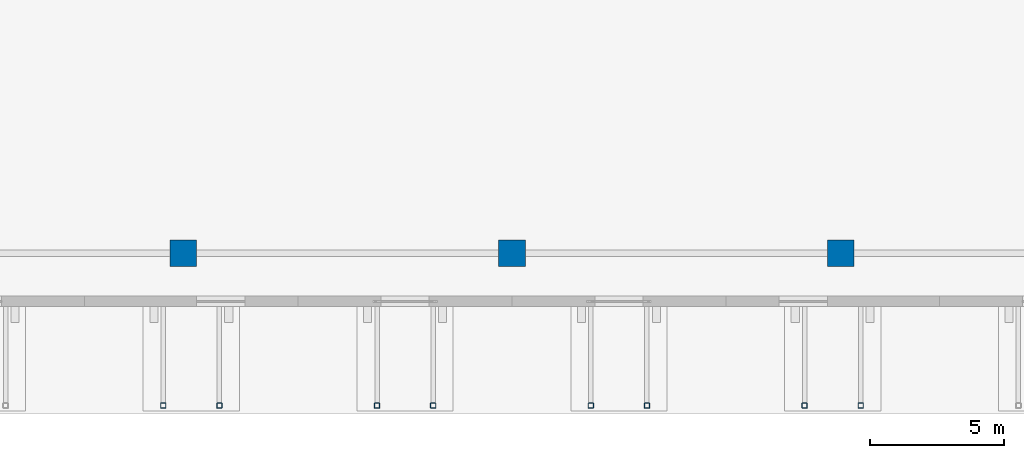
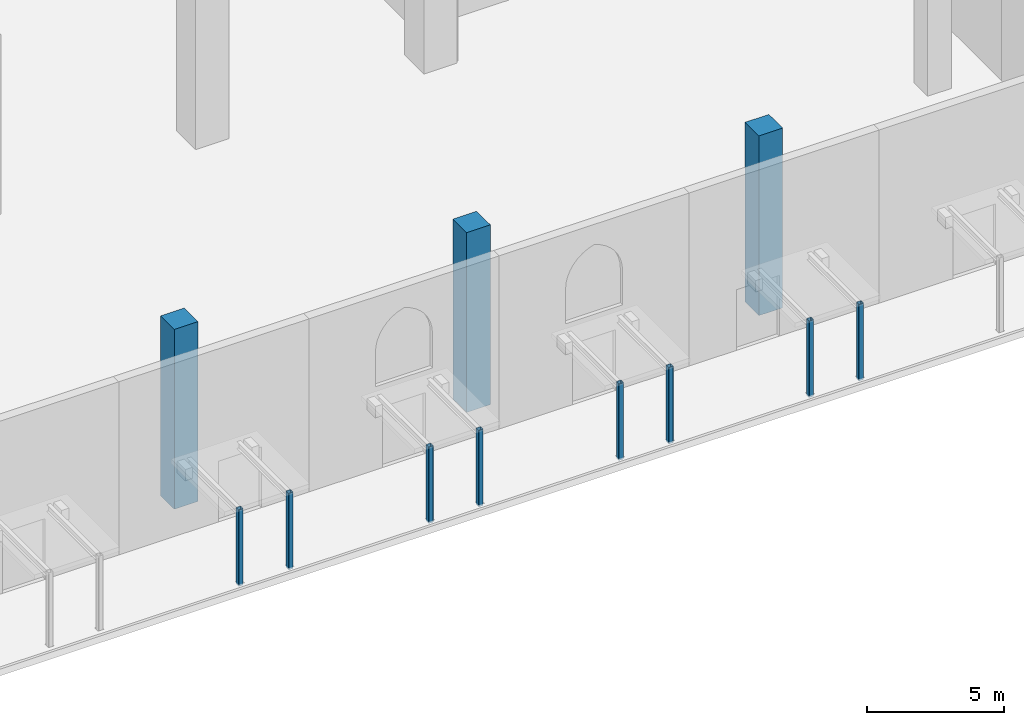
# One storey, part 3 of 38: 11 columns.
"""IFC4 building model written with IfcOpenShell, lengths in metres."""

from ifc_helpers import new_model, si_unit, direction, frame, origin, origin_2d, place, context, subcontext, project, spatial, rectangle, hollow_rectangle, extrude, material, material_profile, profile_set, type_object, element, save


model = new_model("IFC4")

# Units and contexts
model_context = context("Model", 3, precision=1e-05, world=origin(), true_north=direction((0.0, 1.0)))
body_context = subcontext(model_context, "Body", "Model", "MODEL_VIEW")
ifc_project = project(units=[si_unit("LENGTHUNIT", "METRE"), si_unit("AREAUNIT", "SQUARE_METRE"), si_unit("VOLUMEUNIT", "CUBIC_METRE"), si_unit("PLANEANGLEUNIT", "RADIAN"), si_unit("MASSUNIT", "GRAM", prefix="KILO")], contexts=[model_context])

# Site, building, storey
site_placement = place(None, origin())
site = spatial("IfcSite", under=ifc_project, at=site_placement, CompositionType="ELEMENT")
building_placement = place(site_placement, origin())
building = spatial("IfcBuilding", under=site, at=building_placement, Name="Ogive Exchange Tower", CompositionType="ELEMENT")
storey_placement = place(building_placement, origin())
storey = spatial("IfcBuildingStorey", under=building, at=storey_placement, Name="L00", CompositionType="ELEMENT", Elevation=0.0)

# Columns
ifc_material_1 = material(Name="Steel ASTM A1085 Gr A", Category="steel")
ifc_material_profile_1 = material_profile(ifc_material_1, hollow_rectangle(XDim=0.202880859375, YDim=0.202880859375, WallThickness=0.0126953125, InnerFilletRadius=0.0126953125, OuterFilletRadius=0.025390625, at=origin_2d()), Name="HSS203.2x203.2x12.7")
ifc_profile_set_1 = profile_set([ifc_material_profile_1], Name="Steel ASTM A1085 Gr A")
column_type_1 = type_object("IfcColumnType", Name="Canopy post HSS203.2x203.2x12.7", PredefinedType="COLUMN", material=ifc_profile_set_1)
for number, where, z_axis, x_axis, name in (
    (1, (-13.050048828125, -55.699951171875, -0.10009765625), (0.0, 0.0, 1.0), (1.0, 0.0, 0.0), "Canopy post"),
    (2, (-10.949951171875, -55.699951171875, -0.10009765625), (0.0, 0.0, 1.0), (1.0, 0.0, 0.0), "Canopy post"),
    (3, (-5.050048828125, -55.699951171875, -0.10009765625), (0.0, 0.0, 1.0), (1.0, 0.0, 0.0), "Canopy post"),
    (4, (-2.949951171875, -55.699951171875, -0.10009765625), (0.0, 0.0, 1.0), (1.0, 0.0, 0.0), "Canopy post"),
    (5, (2.949951171875, -55.699951171875, -0.10009765625), (0.0, 0.0, 1.0), (1.0, 0.0, 0.0), "Canopy post"),
    (6, (5.050048828125, -55.699951171875, -0.10009765625), (0.0, 0.0, 1.0), (1.0, 0.0, 0.0), "Canopy post"),
    (7, (10.949951171875, -55.699951171875, -0.10009765625), (0.0, 0.0, 1.0), (1.0, 0.0, 0.0), "Canopy post"),
    (8, (13.050048828125, -55.699951171875, -0.10009765625), (0.0, 0.0, 1.0), (1.0, 0.0, 0.0), "Canopy post"),
):
    element("IfcColumn", number, at=place(storey_placement, frame(where, z_axis=z_axis, x_axis=x_axis)), inside=storey, type_object=column_type_1, Name=name, PredefinedType="COLUMN", context=body_context, shape_type="SweptSolid", body=[
        extrude(hollow_rectangle(XDim=0.202880859375, YDim=0.202880859375, WallThickness=0.0126953125, InnerFilletRadius=0.0126953125, OuterFilletRadius=0.025390625, at=origin_2d()), origin(), (0.0, 0.0, 1.0), 3.400146484375),
    ])
ifc_material_2 = material(Name="Concrete C70/85", Category="concrete")
ifc_material_profile_2 = material_profile(ifc_material_2, rectangle(XDim=1.0, YDim=1.0, at=origin_2d()), Name="RC 1000x1000")
ifc_profile_set_2 = profile_set([ifc_material_profile_2], Name="Concrete C70/85")
column_type_2 = type_object("IfcColumnType", Name="RC column 1000x1000", PredefinedType="COLUMN", material=ifc_profile_set_2)
for number, where, z_axis, x_axis, name in (
    (9, (-12.300048828125, -50.0, 0.0), (0.0, 0.0, 1.0), (1.0, 0.0, 0.0), "Podium column"),
    (10, (0.0, -50.0, 0.0), (0.0, 0.0, 1.0), (1.0, 0.0, 0.0), "Podium column"),
    (11, (12.300048828125, -50.0, 0.0), (0.0, 0.0, 1.0), (1.0, 0.0, 0.0), "Podium column"),
):
    element("IfcColumn", number, at=place(storey_placement, frame(where, z_axis=z_axis, x_axis=x_axis)), inside=storey, type_object=column_type_2, Name=name, PredefinedType="COLUMN", context=body_context, shape_type="SweptSolid", body=[
        extrude(rectangle(XDim=1.0, YDim=1.0, at=origin_2d()), origin(), (0.0, 0.0, 1.0), 8.0),
    ])

save(model, "model.ifc")
